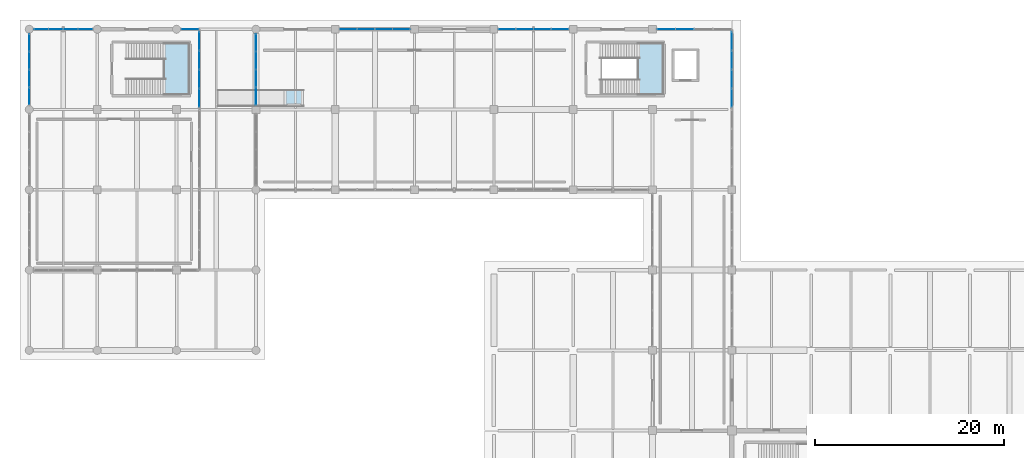
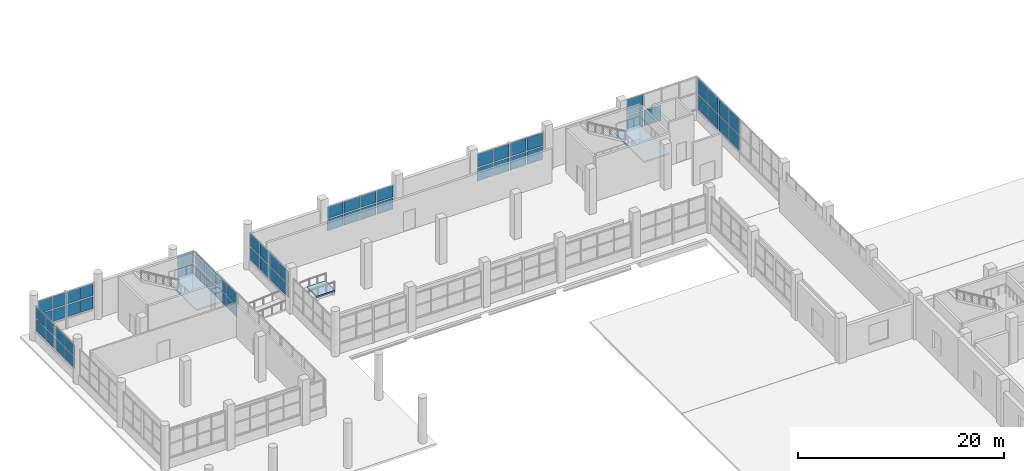
# One storey, part 84 of 107: 61 plates, 3 slabs, 12 elements without a shape of their own.
"""IFC4 building model written with IfcOpenShell, lengths in metres."""

import ifcopenshell
import ifcopenshell.guid

model = None  # the IFC model being written
_history = None  # IfcOwnerHistory: only IFC2X3 demands one
_inside = {}  # id of a spatial element -> (the spatial element, [elements in it])
_under = {}  # id of a project, library or spatial element -> (it, [spatial elements below it])
_declared = {}  # id of a project -> (the project, [libraries it declares])
_typed = {}  # id of a type object -> (the type object, [elements of that type])
_made_of = {}  # id of a material, layer set ... -> (it, [elements and type objects made of it])


def new_model(schema):
    """Start an empty IFC model of exactly this schema.

    Asked for "IFC4X3", IfcOpenShell would pick the latest addendum, in which some entities
    have other attributes; the version numbers below select the first issue.
    IFC2X3 requires an IfcOwnerHistory on every rooted entity: one is made here for all.
    """
    global model, _history
    if schema == "IFC4X3":
        model = ifcopenshell.file(schema_version=(4, 3, 0, 0))
    else:
        model = ifcopenshell.file(schema=schema)
    _inside.clear()
    _under.clear()
    _declared.clear()
    _typed.clear()
    _made_of.clear()
    _history = None
    if model.schema == "IFC2X3":
        org = make("IfcOrganization", Name="unknown")
        user = make(
            "IfcPersonAndOrganization",
            ThePerson=make("IfcPerson", FamilyName="unknown"),
            TheOrganization=org,
        )
        app = make(
            "IfcApplication",
            ApplicationDeveloper=org,
            Version="unknown",
            ApplicationFullName="unknown",
            ApplicationIdentifier="unknown",
        )
        _history = make(
            "IfcOwnerHistory",
            OwningUser=user,
            OwningApplication=app,
            ChangeAction="ADDED",
            CreationDate=0,
        )
    return model


def make(cls, **values):
    """One entity of the class cls with the attributes given. An attribute that is None is left unset."""
    return model.create_entity(
        cls, **{name: value for name, value in values.items() if value is not None}
    )


def rooted(cls, **values):
    """An entity with a GlobalId (a new one), such as an element, a storey or a relation."""
    return make(cls, GlobalId=ifcopenshell.guid.new(), OwnerHistory=_history, **values)


def si_unit(unit_type, name, prefix=None):
    """IfcSIUnit, for example si_unit("LENGTHUNIT", "METRE", prefix="MILLI")."""
    return make("IfcSIUnit", UnitType=unit_type, Prefix=prefix, Name=name)


def assignment(units):
    """IfcUnitAssignment: the units of a project."""
    return None if units is None else make("IfcUnitAssignment", Units=units)


def point(xyz):
    """IfcCartesianPoint."""
    return None if xyz is None else make("IfcCartesianPoint", Coordinates=xyz)


def direction(xyz):
    """IfcDirection."""
    return None if xyz is None else make("IfcDirection", DirectionRatios=xyz)


def frame(location, z_axis=None, x_axis=None):
    """IfcAxis2Placement3D, a coordinate frame: its origin and axes. An axis left out is left unset."""
    return make(
        "IfcAxis2Placement3D",
        Location=point(location),
        Axis=direction(z_axis),
        RefDirection=direction(x_axis),
    )


def frame_2d(location, x_axis=None):
    """IfcAxis2Placement2D, a coordinate frame in the plane: its origin and x axis."""
    return make(
        "IfcAxis2Placement2D", Location=point(location), RefDirection=direction(x_axis)
    )


def origin():
    """The frame at (0, 0, 0) with its axes left unset."""
    return frame((0.0, 0.0, 0.0))


def origin_2d():
    """The frame at (0, 0) in the plane with its x axis left unset."""
    return frame_2d((0.0, 0.0))


def place(relative_to, where):
    """IfcLocalPlacement: puts the frame where relative to a parent placement (None: the world)."""
    return make(
        "IfcLocalPlacement", PlacementRelTo=relative_to, RelativePlacement=where
    )


def context(
    kind, dimensions, precision=None, world=None, true_north=None, identifier=None
):
    """IfcGeometricRepresentationContext, for example the 3D "Model" context."""
    return make(
        "IfcGeometricRepresentationContext",
        ContextIdentifier=identifier,
        ContextType=kind,
        CoordinateSpaceDimension=dimensions,
        Precision=precision,
        WorldCoordinateSystem=world,
        TrueNorth=true_north,
    )


def subcontext(parent, identifier, kind, view, scale=None):
    """IfcGeometricRepresentationSubContext, for example "Body" below "Model"."""
    return make(
        "IfcGeometricRepresentationSubContext",
        ContextIdentifier=identifier,
        ContextType=kind,
        ParentContext=parent,
        TargetScale=scale,
        TargetView=view,
    )


def project(units=None, contexts=None):
    """IfcProject with its units and contexts."""
    return rooted(
        "IfcProject",
        Name="project",
        RepresentationContexts=contexts,
        UnitsInContext=assignment(units),
    )


def spatial(cls, under=None, at=None, **own):
    """A site, building, storey or space (cls), placed at a placement, below another one or the project."""
    s = rooted(cls, ObjectPlacement=at, **own)
    if under is not None:
        _under.setdefault(under.id(), (under, []))[1].append(s)
    return s


def polyline(points):
    """IfcPolyline through the points."""
    return make("IfcPolyline", Points=[point(p) for p in points])


def profile(cls, at=None, kind="AREA", **sizes):
    """A parametric profile (cls). Its sizes go by their IFC names, for example OverallWidth=200.0."""
    return make(cls, ProfileType=kind, Position=at, **sizes)


def rectangle(**sizes):
    """IfcRectangleProfileDef."""
    return profile("IfcRectangleProfileDef", **sizes)


def outline(outer, holes=None, kind="AREA"):
    """IfcArbitraryClosedProfileDef: a profile drawn as a closed curve; with holes, ...WithVoids."""
    if holes is None:
        return make("IfcArbitraryClosedProfileDef", ProfileType=kind, OuterCurve=outer)
    return make(
        "IfcArbitraryProfileDefWithVoids",
        ProfileType=kind,
        OuterCurve=outer,
        InnerCurves=holes,
    )


def extrude(swept, where, along, depth):
    """IfcExtrudedAreaSolid: the profile swept, set in the frame where, extruded along a direction by depth."""
    return make(
        "IfcExtrudedAreaSolid",
        SweptArea=swept,
        Position=where,
        ExtrudedDirection=direction(along),
        Depth=depth,
    )


def shape(context_of_items, identifier, shape_type, items):
    """IfcShapeRepresentation: the items that make up one representation, for example the "Body"."""
    return make(
        "IfcShapeRepresentation",
        ContextOfItems=context_of_items,
        RepresentationIdentifier=identifier,
        RepresentationType=shape_type,
        Items=items,
    )


def material(Name=None, Category=None):
    """IfcMaterial."""
    return make("IfcMaterial", Name=Name, Category=Category)


def layer(
    of_material, thickness, ventilated=None, Name=None, Category=None, Priority=None
):
    """IfcMaterialLayer: one layer of a wall or slab, of a material (None: an air gap)."""
    return make(
        "IfcMaterialLayer",
        Material=of_material,
        LayerThickness=thickness,
        IsVentilated=ventilated,
        Name=Name,
        Category=Category,
        Priority=Priority,
    )


def layer_set(layers, Name=None):
    """IfcMaterialLayerSet."""
    return make("IfcMaterialLayerSet", MaterialLayers=layers, LayerSetName=Name)


def made_of(thing, what):
    """Note that an element or type object is made of a material, layer set ...; save() writes the relation."""
    if what is not None:
        _made_of.setdefault(what.id(), (what, []))[1].append(thing)
    return thing


def type_object(cls, material=None, **own):
    """A type object (cls), such as IfcWallType, which elements share."""
    return made_of(rooted(cls, **own), material)


def element(
    cls,
    number,
    at=None,
    inside=None,
    cuts=None,
    type_object=None,
    material=None,
    context=None,
    identifier="Body",
    shape_type=None,
    held_by="IfcProductDefinitionShape",
    body=None,
    shapes=None,
    **own,
):
    """One element of the class cls, such as IfcWall. Its Tag is "e" and its number.

    at: its placement. inside: the storey or other place that contains it. cuts: it is an
    opening in that element (IfcRelVoidsElement). A single representation is given by context,
    identifier, shape_type and body (its items); several are given by shapes. held_by: the class
    of the entity that holds the representations. save() writes the other relations.
    """
    e = rooted(cls, Tag="e%d" % number, ObjectPlacement=at, **own)
    if body is not None:
        shapes = [shape(context, identifier, shape_type, body)]
    if shapes is not None:
        e.Representation = make(held_by, Representations=shapes)
    if inside is not None:
        _inside.setdefault(inside.id(), (inside, []))[1].append(e)
    if cuts is not None:
        rooted(
            "IfcRelVoidsElement", RelatingBuildingElement=cuts, RelatedOpeningElement=e
        )
    if type_object is not None:
        _typed.setdefault(type_object.id(), (type_object, []))[1].append(e)
    return made_of(e, material)


def aggregate(whole, parts):
    """IfcRelAggregates: a whole, such as a stair, and the parts it consists of."""
    return rooted("IfcRelAggregates", RelatingObject=whole, RelatedObjects=parts)


def save(model, path):
    """Write the relations noted so far, then the file.

    IfcRelAggregates (storeys below a building ...), IfcRelContainedInSpatialStructure (elements
    in a storey), IfcRelDefinesByType, IfcRelAssociatesMaterial and IfcRelDeclares: one each for
    every whole, place, type object, material and project.
    """
    for whole, parts in _under.values():
        aggregate(whole, parts)
    for where, things in _inside.values():
        rooted(
            "IfcRelContainedInSpatialStructure",
            RelatedElements=things,
            RelatingStructure=where,
        )
    for kind, things in _typed.values():
        rooted("IfcRelDefinesByType", RelatedObjects=things, RelatingType=kind)
    for what, things in _made_of.values():
        rooted("IfcRelAssociatesMaterial", RelatedObjects=things, RelatingMaterial=what)
    for by, libraries in _declared.values():
        rooted("IfcRelDeclares", RelatingContext=by, RelatedDefinitions=libraries)
    model.write(path)


model = new_model("IFC4")

# Units and contexts
model_context = context("Model", 3, precision=1e-05, world=origin(), true_north=direction((0.0, 1.0)))
body_context = subcontext(model_context, "Body", "Model", "MODEL_VIEW")
ifc_project = project(units=[si_unit("LENGTHUNIT", "METRE"), si_unit("AREAUNIT", "SQUARE_METRE"), si_unit("VOLUMEUNIT", "CUBIC_METRE"), si_unit("PLANEANGLEUNIT", "RADIAN"), si_unit("MASSUNIT", "GRAM", prefix="KILO")], contexts=[model_context])

# Site, building, storey
site_placement = place(None, origin())
site = spatial("IfcSite", under=ifc_project, at=site_placement, CompositionType="ELEMENT")
building_placement = place(site_placement, origin())
building = spatial("IfcBuilding", under=site, at=building_placement, Name="Solvento Point Concert Hall", CompositionType="ELEMENT")
storey_placement = place(building_placement, origin())
storey = spatial("IfcBuildingStorey", under=building, at=storey_placement, Name="L00", CompositionType="ELEMENT", Elevation=0.0)

# Curtain wall, plates
ifc_material_1 = material(Name="Anodized Bronze Aluminium", Category="aluminium")
curtain_wall_type = type_object("IfcCurtainWallType", Name="CurtainWall_CourtPilotis", PredefinedType="USERDEFINED", material=ifc_material_1)
curtain_wall_1_placement = place(storey_placement, origin())
curtain_wall_1 = element("IfcCurtainWall", 1, at=curtain_wall_1_placement, inside=storey, type_object=curtain_wall_type, Name="Unitised curtain wall CW-96 UCW-L00-028", ObjectType="UNITISED CURTAIN WALL", PredefinedType="USERDEFINED")
ifc_material_2 = material(Name="Hurricane Laminated Low-E Glass", Category="glass")
plate_type = type_object("IfcPlateType", Name="CurtainPanel_CourtPilotis", PredefinedType="CURTAIN_PANEL", material=ifc_material_2)
plate_1_placement = place(storey_placement, frame((24.0, 128.905517578125, 1.23974609375), z_axis=(0.0, 0.0, 1.0), x_axis=(0.0, 1.0, 0.0)))
plate_1 = element("IfcPlate", 2, at=plate_1_placement, type_object=plate_type, Name="Glazed curtain panel GL-06", PredefinedType="CURTAIN_PANEL", context=body_context, shape_type="SweptSolid", body=[
    extrude(rectangle(XDim=1.771240234375, YDim=0.030029296875, at=origin_2d()), origin(), (0.0, 0.0, 1.0), 1.508056640625),
])
plate_2_placement = place(storey_placement, frame((24.0, 128.905517578125, 2.8681640625), z_axis=(0.0, 0.0, 1.0), x_axis=(0.0, 1.0, 0.0)))
plate_2 = element("IfcPlate", 3, at=plate_2_placement, type_object=plate_type, Name="Glazed curtain panel GL-06", PredefinedType="CURTAIN_PANEL", context=body_context, shape_type="SweptSolid", body=[
    extrude(rectangle(XDim=1.771240234375, YDim=0.030029296875, at=origin_2d()), origin(), (0.0, 0.0, 1.0), 1.508056640625),
])
plate_3_placement = place(storey_placement, frame((24.0, 130.796875, 1.23974609375), z_axis=(0.0, 0.0, 1.0), x_axis=(0.0, 1.0, 0.0)))
plate_3 = element("IfcPlate", 4, at=plate_3_placement, type_object=plate_type, Name="Glazed curtain panel GL-06", PredefinedType="CURTAIN_PANEL", context=body_context, shape_type="SweptSolid", body=[
    extrude(rectangle(XDim=1.771240234375, YDim=0.030029296875, at=origin_2d()), origin(), (0.0, 0.0, 1.0), 1.508056640625),
])
plate_4_placement = place(storey_placement, frame((24.0, 130.796875, 2.8681640625), z_axis=(0.0, 0.0, 1.0), x_axis=(0.0, 1.0, 0.0)))
plate_4 = element("IfcPlate", 5, at=plate_4_placement, type_object=plate_type, Name="Glazed curtain panel GL-06", PredefinedType="CURTAIN_PANEL", context=body_context, shape_type="SweptSolid", body=[
    extrude(rectangle(XDim=1.771240234375, YDim=0.030029296875, at=origin_2d()), origin(), (0.0, 0.0, 1.0), 1.508056640625),
])
plate_5_placement = place(storey_placement, frame((24.0, 132.68798828125, 1.23974609375), z_axis=(0.0, 0.0, 1.0), x_axis=(0.0, 1.0, 0.0)))
plate_5 = element("IfcPlate", 6, at=plate_5_placement, type_object=plate_type, Name="Glazed curtain panel GL-06", PredefinedType="CURTAIN_PANEL", context=body_context, shape_type="SweptSolid", body=[
    extrude(rectangle(XDim=1.771240234375, YDim=0.030029296875, at=origin_2d()), origin(), (0.0, 0.0, 1.0), 1.508056640625),
])
plate_6_placement = place(storey_placement, frame((24.0, 132.68798828125, 2.8681640625), z_axis=(0.0, 0.0, 1.0), x_axis=(0.0, 1.0, 0.0)))
plate_6 = element("IfcPlate", 7, at=plate_6_placement, type_object=plate_type, Name="Glazed curtain panel GL-06", PredefinedType="CURTAIN_PANEL", context=body_context, shape_type="SweptSolid", body=[
    extrude(rectangle(XDim=1.771240234375, YDim=0.030029296875, at=origin_2d()), origin(), (0.0, 0.0, 1.0), 1.508056640625),
])
plate_7_placement = place(storey_placement, frame((24.0, 134.579345703125, 1.23974609375), z_axis=(0.0, 0.0, 1.0), x_axis=(0.0, 1.0, 0.0)))
plate_7 = element("IfcPlate", 8, at=plate_7_placement, type_object=plate_type, Name="Glazed curtain panel GL-06", PredefinedType="CURTAIN_PANEL", context=body_context, shape_type="SweptSolid", body=[
    extrude(rectangle(XDim=1.771240234375, YDim=0.030029296875, at=origin_2d()), origin(), (0.0, 0.0, 1.0), 1.508056640625),
])
plate_8_placement = place(storey_placement, frame((24.0, 134.579345703125, 2.8681640625), z_axis=(0.0, 0.0, 1.0), x_axis=(0.0, 1.0, 0.0)))
plate_8 = element("IfcPlate", 9, at=plate_8_placement, type_object=plate_type, Name="Glazed curtain panel GL-06", PredefinedType="CURTAIN_PANEL", context=body_context, shape_type="SweptSolid", body=[
    extrude(rectangle(XDim=1.771240234375, YDim=0.030029296875, at=origin_2d()), origin(), (0.0, 0.0, 1.0), 1.508056640625),
])
aggregate(curtain_wall_1, [plate_1, plate_2, plate_3, plate_4, plate_5, plate_6, plate_7, plate_8])

curtain_wall_2_placement = place(storey_placement, origin())
curtain_wall_2 = element("IfcCurtainWall", 10, at=curtain_wall_2_placement, inside=storey, type_object=curtain_wall_type, Name="Unitised curtain wall CW-96 UCW-L00-029", ObjectType="UNITISED CURTAIN WALL", PredefinedType="USERDEFINED")
plate_9_placement = place(storey_placement, frame((33.794921875, 136.0, 1.23974609375), z_axis=(0.0, 0.0, 1.0), x_axis=(1.0, 0.0, 0.0)))
plate_9 = element("IfcPlate", 11, at=plate_9_placement, type_object=plate_type, Name="Glazed curtain panel GL-06", PredefinedType="CURTAIN_PANEL", context=body_context, shape_type="SweptSolid", body=[
    extrude(rectangle(XDim=1.75, YDim=0.030029296875, at=origin_2d()), origin(), (0.0, 0.0, 1.0), 1.342041015625),
])
plate_10_placement = place(storey_placement, frame((33.794921875, 136.0, 2.7021484375), z_axis=(0.0, 0.0, 1.0), x_axis=(1.0, 0.0, 0.0)))
plate_10 = element("IfcPlate", 12, at=plate_10_placement, type_object=plate_type, Name="Glazed curtain panel GL-06", PredefinedType="CURTAIN_PANEL", context=body_context, shape_type="SweptSolid", body=[
    extrude(rectangle(XDim=1.75, YDim=0.030029296875, at=origin_2d()), origin(), (0.0, 0.0, 1.0), 1.342041015625),
])
plate_11_placement = place(storey_placement, frame((35.6650390625, 136.0, 1.23974609375), z_axis=(0.0, 0.0, 1.0), x_axis=(1.0, 0.0, 0.0)))
plate_11 = element("IfcPlate", 13, at=plate_11_placement, type_object=plate_type, Name="Glazed curtain panel GL-06", PredefinedType="CURTAIN_PANEL", context=body_context, shape_type="SweptSolid", body=[
    extrude(rectangle(XDim=1.75, YDim=0.030029296875, at=origin_2d()), origin(), (0.0, 0.0, 1.0), 1.342041015625),
])
plate_12_placement = place(storey_placement, frame((35.6650390625, 136.0, 2.7021484375), z_axis=(0.0, 0.0, 1.0), x_axis=(1.0, 0.0, 0.0)))
plate_12 = element("IfcPlate", 14, at=plate_12_placement, type_object=plate_type, Name="Glazed curtain panel GL-06", PredefinedType="CURTAIN_PANEL", context=body_context, shape_type="SweptSolid", body=[
    extrude(rectangle(XDim=1.75, YDim=0.030029296875, at=origin_2d()), origin(), (0.0, 0.0, 1.0), 1.342041015625),
])
plate_13_placement = place(storey_placement, frame((37.534912109375, 136.0, 1.23974609375), z_axis=(0.0, 0.0, 1.0), x_axis=(1.0, 0.0, 0.0)))
plate_13 = element("IfcPlate", 15, at=plate_13_placement, type_object=plate_type, Name="Glazed curtain panel GL-06", PredefinedType="CURTAIN_PANEL", context=body_context, shape_type="SweptSolid", body=[
    extrude(rectangle(XDim=1.75, YDim=0.030029296875, at=origin_2d()), origin(), (0.0, 0.0, 1.0), 1.342041015625),
])
plate_14_placement = place(storey_placement, frame((37.534912109375, 136.0, 2.7021484375), z_axis=(0.0, 0.0, 1.0), x_axis=(1.0, 0.0, 0.0)))
plate_14 = element("IfcPlate", 16, at=plate_14_placement, type_object=plate_type, Name="Glazed curtain panel GL-06", PredefinedType="CURTAIN_PANEL", context=body_context, shape_type="SweptSolid", body=[
    extrude(rectangle(XDim=1.75, YDim=0.030029296875, at=origin_2d()), origin(), (0.0, 0.0, 1.0), 1.342041015625),
])
plate_15_placement = place(storey_placement, frame((39.405029296875, 136.0, 1.23974609375), z_axis=(0.0, 0.0, 1.0), x_axis=(1.0, 0.0, 0.0)))
plate_15 = element("IfcPlate", 17, at=plate_15_placement, type_object=plate_type, Name="Glazed curtain panel GL-06", PredefinedType="CURTAIN_PANEL", context=body_context, shape_type="SweptSolid", body=[
    extrude(rectangle(XDim=1.75, YDim=0.030029296875, at=origin_2d()), origin(), (0.0, 0.0, 1.0), 1.342041015625),
])
plate_16_placement = place(storey_placement, frame((39.405029296875, 136.0, 2.7021484375), z_axis=(0.0, 0.0, 1.0), x_axis=(1.0, 0.0, 0.0)))
plate_16 = element("IfcPlate", 18, at=plate_16_placement, type_object=plate_type, Name="Glazed curtain panel GL-06", PredefinedType="CURTAIN_PANEL", context=body_context, shape_type="SweptSolid", body=[
    extrude(rectangle(XDim=1.75, YDim=0.030029296875, at=origin_2d()), origin(), (0.0, 0.0, 1.0), 1.342041015625),
])
aggregate(curtain_wall_2, [plate_9, plate_10, plate_11, plate_12, plate_13, plate_14, plate_15, plate_16])

curtain_wall_3_placement = place(storey_placement, origin())
curtain_wall_3 = element("IfcCurtainWall", 19, at=curtain_wall_3_placement, inside=storey, type_object=curtain_wall_type, Name="Unitised curtain wall CW-96 UCW-L00-030", ObjectType="UNITISED CURTAIN WALL", PredefinedType="USERDEFINED")
plate_17_placement = place(storey_placement, frame((50.594970703125, 136.0, 1.239990234375), z_axis=(0.0, 0.0, 1.0), x_axis=(1.0, 0.0, 0.0)))
plate_17 = element("IfcPlate", 20, at=plate_17_placement, type_object=plate_type, Name="Glazed curtain panel GL-06", PredefinedType="CURTAIN_PANEL", context=body_context, shape_type="SweptSolid", body=[
    extrude(rectangle(XDim=1.75, YDim=0.030029296875, at=origin_2d()), origin(), (0.0, 0.0, 1.0), 1.53759765625),
])
plate_18_placement = place(storey_placement, frame((50.594970703125, 136.0, 2.8974609375), z_axis=(0.0, 0.0, 1.0), x_axis=(1.0, 0.0, 0.0)))
plate_18 = element("IfcPlate", 21, at=plate_18_placement, type_object=plate_type, Name="Glazed curtain panel GL-06", PredefinedType="CURTAIN_PANEL", context=body_context, shape_type="SweptSolid", body=[
    extrude(rectangle(XDim=1.75, YDim=0.030029296875, at=origin_2d()), origin(), (0.0, 0.0, 1.0), 1.53759765625),
])
plate_19_placement = place(storey_placement, frame((52.465087890625, 136.0, 1.239990234375), z_axis=(0.0, 0.0, 1.0), x_axis=(1.0, 0.0, 0.0)))
plate_19 = element("IfcPlate", 22, at=plate_19_placement, type_object=plate_type, Name="Glazed curtain panel GL-06", PredefinedType="CURTAIN_PANEL", context=body_context, shape_type="SweptSolid", body=[
    extrude(rectangle(XDim=1.75, YDim=0.030029296875, at=origin_2d()), origin(), (0.0, 0.0, 1.0), 1.53759765625),
])
plate_20_placement = place(storey_placement, frame((52.465087890625, 136.0, 2.8974609375), z_axis=(0.0, 0.0, 1.0), x_axis=(1.0, 0.0, 0.0)))
plate_20 = element("IfcPlate", 23, at=plate_20_placement, type_object=plate_type, Name="Glazed curtain panel GL-06", PredefinedType="CURTAIN_PANEL", context=body_context, shape_type="SweptSolid", body=[
    extrude(rectangle(XDim=1.75, YDim=0.030029296875, at=origin_2d()), origin(), (0.0, 0.0, 1.0), 1.53759765625),
])
plate_21_placement = place(storey_placement, frame((54.3349609375, 136.0, 1.239990234375), z_axis=(0.0, 0.0, 1.0), x_axis=(1.0, 0.0, 0.0)))
plate_21 = element("IfcPlate", 24, at=plate_21_placement, type_object=plate_type, Name="Glazed curtain panel GL-06", PredefinedType="CURTAIN_PANEL", context=body_context, shape_type="SweptSolid", body=[
    extrude(rectangle(XDim=1.75, YDim=0.030029296875, at=origin_2d()), origin(), (0.0, 0.0, 1.0), 1.53759765625),
])
plate_22_placement = place(storey_placement, frame((54.3349609375, 136.0, 2.8974609375), z_axis=(0.0, 0.0, 1.0), x_axis=(1.0, 0.0, 0.0)))
plate_22 = element("IfcPlate", 25, at=plate_22_placement, type_object=plate_type, Name="Glazed curtain panel GL-06", PredefinedType="CURTAIN_PANEL", context=body_context, shape_type="SweptSolid", body=[
    extrude(rectangle(XDim=1.75, YDim=0.030029296875, at=origin_2d()), origin(), (0.0, 0.0, 1.0), 1.53759765625),
])
plate_23_placement = place(storey_placement, frame((56.205078125, 136.0, 1.239990234375), z_axis=(0.0, 0.0, 1.0), x_axis=(1.0, 0.0, 0.0)))
plate_23 = element("IfcPlate", 26, at=plate_23_placement, type_object=plate_type, Name="Glazed curtain panel GL-06", PredefinedType="CURTAIN_PANEL", context=body_context, shape_type="SweptSolid", body=[
    extrude(rectangle(XDim=1.75, YDim=0.030029296875, at=origin_2d()), origin(), (0.0, 0.0, 1.0), 1.53759765625),
])
plate_24_placement = place(storey_placement, frame((56.205078125, 136.0, 2.8974609375), z_axis=(0.0, 0.0, 1.0), x_axis=(1.0, 0.0, 0.0)))
plate_24 = element("IfcPlate", 27, at=plate_24_placement, type_object=plate_type, Name="Glazed curtain panel GL-06", PredefinedType="CURTAIN_PANEL", context=body_context, shape_type="SweptSolid", body=[
    extrude(rectangle(XDim=1.75, YDim=0.030029296875, at=origin_2d()), origin(), (0.0, 0.0, 1.0), 1.53759765625),
])
aggregate(curtain_wall_3, [plate_17, plate_18, plate_19, plate_20, plate_21, plate_22, plate_23, plate_24])

curtain_wall_4_placement = place(storey_placement, origin())
curtain_wall_4 = element("IfcCurtainWall", 28, at=curtain_wall_4_placement, inside=storey, type_object=curtain_wall_type, Name="Unitised curtain wall CW-96 UCW-L00-031", ObjectType="UNITISED CURTAIN WALL", PredefinedType="USERDEFINED")
plate_25_placement = place(storey_placement, frame((67.44873046875, 136.0, 1.23974609375), z_axis=(0.0, 0.0, 1.0), x_axis=(1.0, 0.0, 0.0)))
plate_25 = element("IfcPlate", 29, at=plate_25_placement, type_object=plate_type, Name="Glazed curtain panel GL-06", PredefinedType="CURTAIN_PANEL", context=body_context, shape_type="SweptSolid", body=[
    extrude(rectangle(XDim=1.857421875, YDim=0.030029296875, at=origin_2d()), origin(), (0.0, 0.0, 1.0), 1.820068359375),
])
plate_26_placement = place(storey_placement, frame((67.44873046875, 136.0, 3.18017578125), z_axis=(0.0, 0.0, 1.0), x_axis=(1.0, 0.0, 0.0)))
plate_26 = element("IfcPlate", 30, at=plate_26_placement, type_object=plate_type, Name="Glazed curtain panel GL-06", PredefinedType="CURTAIN_PANEL", context=body_context, shape_type="SweptSolid", body=[
    extrude(rectangle(XDim=1.857421875, YDim=0.030029296875, at=origin_2d()), origin(), (0.0, 0.0, 1.0), 1.820068359375),
])
plate_27_placement = place(storey_placement, frame((69.42626953125, 136.0, 1.23974609375), z_axis=(0.0, 0.0, 1.0), x_axis=(1.0, 0.0, 0.0)))
plate_27 = element("IfcPlate", 31, at=plate_27_placement, type_object=plate_type, Name="Glazed curtain panel GL-06", PredefinedType="CURTAIN_PANEL", context=body_context, shape_type="SweptSolid", body=[
    extrude(rectangle(XDim=1.857421875, YDim=0.030029296875, at=origin_2d()), origin(), (0.0, 0.0, 1.0), 1.820068359375),
])
aggregate(curtain_wall_4, [plate_25, plate_26, plate_27])

curtain_wall_5_placement = place(storey_placement, origin())
curtain_wall_5 = element("IfcCurtainWall", 32, at=curtain_wall_5_placement, inside=storey, type_object=curtain_wall_type, Name="Unitised curtain wall CW-96 UCW-L00-033", ObjectType="UNITISED CURTAIN WALL", PredefinedType="USERDEFINED")
plate_28_placement = place(storey_placement, frame((74.39990234375, 128.7275390625, 1.23974609375), z_axis=(0.0, 0.0, 1.0), x_axis=(0.0, 1.0, 0.0)))
plate_28 = element("IfcPlate", 33, at=plate_28_placement, type_object=plate_type, Name="Glazed curtain panel GL-06", PredefinedType="CURTAIN_PANEL", context=body_context, shape_type="SweptSolid", body=[
    extrude(rectangle(XDim=1.89501953125, YDim=0.030029296875, at=origin_2d()), origin(), (0.0, 0.0, 1.0), 1.820068359375),
])
plate_29_placement = place(storey_placement, frame((74.39990234375, 128.7275390625, 3.18017578125), z_axis=(0.0, 0.0, 1.0), x_axis=(0.0, 1.0, 0.0)))
plate_29 = element("IfcPlate", 34, at=plate_29_placement, type_object=plate_type, Name="Glazed curtain panel GL-06", PredefinedType="CURTAIN_PANEL", context=body_context, shape_type="SweptSolid", body=[
    extrude(rectangle(XDim=1.89501953125, YDim=0.030029296875, at=origin_2d()), origin(), (0.0, 0.0, 1.0), 1.820068359375),
])
plate_30_placement = place(storey_placement, frame((74.39990234375, 130.742431640625, 1.23974609375), z_axis=(0.0, 0.0, 1.0), x_axis=(0.0, 1.0, 0.0)))
plate_30 = element("IfcPlate", 35, at=plate_30_placement, type_object=plate_type, Name="Glazed curtain panel GL-06", PredefinedType="CURTAIN_PANEL", context=body_context, shape_type="SweptSolid", body=[
    extrude(rectangle(XDim=1.89501953125, YDim=0.030029296875, at=origin_2d()), origin(), (0.0, 0.0, 1.0), 1.820068359375),
])
plate_31_placement = place(storey_placement, frame((74.39990234375, 130.742431640625, 3.18017578125), z_axis=(0.0, 0.0, 1.0), x_axis=(0.0, 1.0, 0.0)))
plate_31 = element("IfcPlate", 36, at=plate_31_placement, type_object=plate_type, Name="Glazed curtain panel GL-06", PredefinedType="CURTAIN_PANEL", context=body_context, shape_type="SweptSolid", body=[
    extrude(rectangle(XDim=1.89501953125, YDim=0.030029296875, at=origin_2d()), origin(), (0.0, 0.0, 1.0), 1.820068359375),
])
plate_32_placement = place(storey_placement, frame((74.39990234375, 132.757568359375, 1.23974609375), z_axis=(0.0, 0.0, 1.0), x_axis=(0.0, 1.0, 0.0)))
plate_32 = element("IfcPlate", 37, at=plate_32_placement, type_object=plate_type, Name="Glazed curtain panel GL-06", PredefinedType="CURTAIN_PANEL", context=body_context, shape_type="SweptSolid", body=[
    extrude(rectangle(XDim=1.89501953125, YDim=0.030029296875, at=origin_2d()), origin(), (0.0, 0.0, 1.0), 1.820068359375),
])
plate_33_placement = place(storey_placement, frame((74.39990234375, 132.757568359375, 3.18017578125), z_axis=(0.0, 0.0, 1.0), x_axis=(0.0, 1.0, 0.0)))
plate_33 = element("IfcPlate", 38, at=plate_33_placement, type_object=plate_type, Name="Glazed curtain panel GL-06", PredefinedType="CURTAIN_PANEL", context=body_context, shape_type="SweptSolid", body=[
    extrude(rectangle(XDim=1.89501953125, YDim=0.030029296875, at=origin_2d()), origin(), (0.0, 0.0, 1.0), 1.820068359375),
])
plate_34_placement = place(storey_placement, frame((74.39990234375, 134.7724609375, 1.23974609375), z_axis=(0.0, 0.0, 1.0), x_axis=(0.0, 1.0, 0.0)))
plate_34 = element("IfcPlate", 39, at=plate_34_placement, type_object=plate_type, Name="Glazed curtain panel GL-06", PredefinedType="CURTAIN_PANEL", context=body_context, shape_type="SweptSolid", body=[
    extrude(rectangle(XDim=1.89501953125, YDim=0.030029296875, at=origin_2d()), origin(), (0.0, 0.0, 1.0), 1.820068359375),
])
plate_35_placement = place(storey_placement, frame((74.39990234375, 134.7724609375, 3.18017578125), z_axis=(0.0, 0.0, 1.0), x_axis=(0.0, 1.0, 0.0)))
plate_35 = element("IfcPlate", 40, at=plate_35_placement, type_object=plate_type, Name="Glazed curtain panel GL-06", PredefinedType="CURTAIN_PANEL", context=body_context, shape_type="SweptSolid", body=[
    extrude(rectangle(XDim=1.89501953125, YDim=0.030029296875, at=origin_2d()), origin(), (0.0, 0.0, 1.0), 1.820068359375),
])
aggregate(curtain_wall_5, [plate_28, plate_29, plate_30, plate_31, plate_32, plate_33, plate_34, plate_35])

curtain_wall_6_placement = place(storey_placement, origin())
curtain_wall_6 = element("IfcCurtainWall", 41, at=curtain_wall_6_placement, inside=storey, type_object=curtain_wall_type, Name="Unitised curtain wall CW-96 UCW-L00-062", ObjectType="UNITISED CURTAIN WALL", PredefinedType="USERDEFINED")
plate_36_placement = place(storey_placement, frame((1.25634765625, 136.0, 1.240234375), z_axis=(0.0, 0.0, 1.0), x_axis=(1.0, 0.0, 0.0)))
plate_36 = element("IfcPlate", 42, at=plate_36_placement, type_object=plate_type, Name="Glazed curtain panel GL-06", PredefinedType="CURTAIN_PANEL", context=body_context, shape_type="SweptSolid", body=[
    extrude(rectangle(XDim=1.4423828125, YDim=0.030029296875, at=origin_2d()), origin(), (0.0, 0.0, 1.0), 1.427001953125),
])
plate_37_placement = place(storey_placement, frame((1.25634765625, 136.0, 2.787109375), z_axis=(0.0, 0.0, 1.0), x_axis=(1.0, 0.0, 0.0)))
plate_37 = element("IfcPlate", 43, at=plate_37_placement, type_object=plate_type, Name="Glazed curtain panel GL-06", PredefinedType="CURTAIN_PANEL", context=body_context, shape_type="SweptSolid", body=[
    extrude(rectangle(XDim=1.4423828125, YDim=0.030029296875, at=origin_2d()), origin(), (0.0, 0.0, 1.0), 1.427001953125),
])
plate_38_placement = place(storey_placement, frame((2.81884765625, 136.0, 1.240234375), z_axis=(0.0, 0.0, 1.0), x_axis=(1.0, 0.0, 0.0)))
plate_38 = element("IfcPlate", 44, at=plate_38_placement, type_object=plate_type, Name="Glazed curtain panel GL-06", PredefinedType="CURTAIN_PANEL", context=body_context, shape_type="SweptSolid", body=[
    extrude(rectangle(XDim=1.4423828125, YDim=0.030029296875, at=origin_2d()), origin(), (0.0, 0.0, 1.0), 1.427001953125),
])
plate_39_placement = place(storey_placement, frame((2.81884765625, 136.0, 2.787109375), z_axis=(0.0, 0.0, 1.0), x_axis=(1.0, 0.0, 0.0)))
plate_39 = element("IfcPlate", 45, at=plate_39_placement, type_object=plate_type, Name="Glazed curtain panel GL-06", PredefinedType="CURTAIN_PANEL", context=body_context, shape_type="SweptSolid", body=[
    extrude(rectangle(XDim=1.4423828125, YDim=0.030029296875, at=origin_2d()), origin(), (0.0, 0.0, 1.0), 1.427001953125),
])
plate_40_placement = place(storey_placement, frame((4.381103515625, 136.0, 1.240234375), z_axis=(0.0, 0.0, 1.0), x_axis=(1.0, 0.0, 0.0)))
plate_40 = element("IfcPlate", 46, at=plate_40_placement, type_object=plate_type, Name="Glazed curtain panel GL-06", PredefinedType="CURTAIN_PANEL", context=body_context, shape_type="SweptSolid", body=[
    extrude(rectangle(XDim=1.4423828125, YDim=0.030029296875, at=origin_2d()), origin(), (0.0, 0.0, 1.0), 1.427001953125),
])
plate_41_placement = place(storey_placement, frame((4.381103515625, 136.0, 2.787109375), z_axis=(0.0, 0.0, 1.0), x_axis=(1.0, 0.0, 0.0)))
plate_41 = element("IfcPlate", 47, at=plate_41_placement, type_object=plate_type, Name="Glazed curtain panel GL-06", PredefinedType="CURTAIN_PANEL", context=body_context, shape_type="SweptSolid", body=[
    extrude(rectangle(XDim=1.4423828125, YDim=0.030029296875, at=origin_2d()), origin(), (0.0, 0.0, 1.0), 1.427001953125),
])
plate_42_placement = place(storey_placement, frame((5.943603515625, 136.0, 1.240234375), z_axis=(0.0, 0.0, 1.0), x_axis=(1.0, 0.0, 0.0)))
plate_42 = element("IfcPlate", 48, at=plate_42_placement, type_object=plate_type, Name="Glazed curtain panel GL-06", PredefinedType="CURTAIN_PANEL", context=body_context, shape_type="SweptSolid", body=[
    extrude(rectangle(XDim=1.4423828125, YDim=0.030029296875, at=origin_2d()), origin(), (0.0, 0.0, 1.0), 1.427001953125),
])
plate_43_placement = place(storey_placement, frame((5.943603515625, 136.0, 2.787109375), z_axis=(0.0, 0.0, 1.0), x_axis=(1.0, 0.0, 0.0)))
plate_43 = element("IfcPlate", 49, at=plate_43_placement, type_object=plate_type, Name="Glazed curtain panel GL-06", PredefinedType="CURTAIN_PANEL", context=body_context, shape_type="SweptSolid", body=[
    extrude(rectangle(XDim=1.4423828125, YDim=0.030029296875, at=origin_2d()), origin(), (0.0, 0.0, 1.0), 1.427001953125),
])
aggregate(curtain_wall_6, [plate_36, plate_37, plate_38, plate_39, plate_40, plate_41, plate_42, plate_43])

curtain_wall_7_placement = place(storey_placement, origin())
curtain_wall_7 = element("IfcCurtainWall", 50, at=curtain_wall_7_placement, inside=storey, type_object=curtain_wall_type, Name="Unitised curtain wall CW-96 UCW-L00-063", ObjectType="UNITISED CURTAIN WALL", PredefinedType="USERDEFINED")
plate_44_placement = place(storey_placement, frame((17.0224609375, 136.0, 1.240234375), z_axis=(0.0, 0.0, 1.0), x_axis=(1.0, 0.0, 0.0)))
plate_44 = element("IfcPlate", 51, at=plate_44_placement, type_object=plate_type, Name="Glazed curtain panel GL-06", PredefinedType="CURTAIN_PANEL", context=body_context, shape_type="SweptSolid", body=[
    extrude(rectangle(XDim=1.77490234375, YDim=0.030029296875, at=origin_2d()), origin(), (0.0, 0.0, 1.0), 1.348388671875),
])
plate_45_placement = place(storey_placement, frame((17.0224609375, 136.0, 2.70849609375), z_axis=(0.0, 0.0, 1.0), x_axis=(1.0, 0.0, 0.0)))
plate_45 = element("IfcPlate", 52, at=plate_45_placement, type_object=plate_type, Name="Glazed curtain panel GL-06", PredefinedType="CURTAIN_PANEL", context=body_context, shape_type="SweptSolid", body=[
    extrude(rectangle(XDim=1.77490234375, YDim=0.030029296875, at=origin_2d()), origin(), (0.0, 0.0, 1.0), 1.348388671875),
])
aggregate(curtain_wall_7, [plate_44, plate_45])

curtain_wall_8_placement = place(storey_placement, origin())
curtain_wall_8 = element("IfcCurtainWall", 53, at=curtain_wall_8_placement, inside=storey, type_object=curtain_wall_type, Name="Unitised curtain wall CW-96 UCW-L00-066", ObjectType="UNITISED CURTAIN WALL", PredefinedType="USERDEFINED")
plate_46_placement = place(storey_placement, frame((18.0, 128.7275390625, 1.240234375), z_axis=(0.0, 0.0, 1.0), x_axis=(0.0, 1.0, 0.0)))
plate_46 = element("IfcPlate", 54, at=plate_46_placement, type_object=plate_type, Name="Glazed curtain panel GL-06", PredefinedType="CURTAIN_PANEL", context=body_context, shape_type="SweptSolid", body=[
    extrude(rectangle(XDim=1.89501953125, YDim=0.030029296875, at=origin_2d()), origin(), (0.0, 0.0, 1.0), 1.348388671875),
])
plate_47_placement = place(storey_placement, frame((18.0, 128.7275390625, 2.70849609375), z_axis=(0.0, 0.0, 1.0), x_axis=(0.0, 1.0, 0.0)))
plate_47 = element("IfcPlate", 55, at=plate_47_placement, type_object=plate_type, Name="Glazed curtain panel GL-06", PredefinedType="CURTAIN_PANEL", context=body_context, shape_type="SweptSolid", body=[
    extrude(rectangle(XDim=1.89501953125, YDim=0.030029296875, at=origin_2d()), origin(), (0.0, 0.0, 1.0), 1.348388671875),
])
plate_48_placement = place(storey_placement, frame((18.0, 130.742431640625, 1.240234375), z_axis=(0.0, 0.0, 1.0), x_axis=(0.0, 1.0, 0.0)))
plate_48 = element("IfcPlate", 56, at=plate_48_placement, type_object=plate_type, Name="Glazed curtain panel GL-06", PredefinedType="CURTAIN_PANEL", context=body_context, shape_type="SweptSolid", body=[
    extrude(rectangle(XDim=1.89501953125, YDim=0.030029296875, at=origin_2d()), origin(), (0.0, 0.0, 1.0), 1.348388671875),
])
plate_49_placement = place(storey_placement, frame((18.0, 130.742431640625, 2.70849609375), z_axis=(0.0, 0.0, 1.0), x_axis=(0.0, 1.0, 0.0)))
plate_49 = element("IfcPlate", 57, at=plate_49_placement, type_object=plate_type, Name="Glazed curtain panel GL-06", PredefinedType="CURTAIN_PANEL", context=body_context, shape_type="SweptSolid", body=[
    extrude(rectangle(XDim=1.89501953125, YDim=0.030029296875, at=origin_2d()), origin(), (0.0, 0.0, 1.0), 1.348388671875),
])
plate_50_placement = place(storey_placement, frame((18.0, 132.757568359375, 1.240234375), z_axis=(0.0, 0.0, 1.0), x_axis=(0.0, 1.0, 0.0)))
plate_50 = element("IfcPlate", 58, at=plate_50_placement, type_object=plate_type, Name="Glazed curtain panel GL-06", PredefinedType="CURTAIN_PANEL", context=body_context, shape_type="SweptSolid", body=[
    extrude(rectangle(XDim=1.89501953125, YDim=0.030029296875, at=origin_2d()), origin(), (0.0, 0.0, 1.0), 1.348388671875),
])
plate_51_placement = place(storey_placement, frame((18.0, 132.757568359375, 2.70849609375), z_axis=(0.0, 0.0, 1.0), x_axis=(0.0, 1.0, 0.0)))
plate_51 = element("IfcPlate", 59, at=plate_51_placement, type_object=plate_type, Name="Glazed curtain panel GL-06", PredefinedType="CURTAIN_PANEL", context=body_context, shape_type="SweptSolid", body=[
    extrude(rectangle(XDim=1.89501953125, YDim=0.030029296875, at=origin_2d()), origin(), (0.0, 0.0, 1.0), 1.348388671875),
])
plate_52_placement = place(storey_placement, frame((18.0, 134.7724609375, 1.240234375), z_axis=(0.0, 0.0, 1.0), x_axis=(0.0, 1.0, 0.0)))
plate_52 = element("IfcPlate", 60, at=plate_52_placement, type_object=plate_type, Name="Glazed curtain panel GL-06", PredefinedType="CURTAIN_PANEL", context=body_context, shape_type="SweptSolid", body=[
    extrude(rectangle(XDim=1.89501953125, YDim=0.030029296875, at=origin_2d()), origin(), (0.0, 0.0, 1.0), 1.348388671875),
])
plate_53_placement = place(storey_placement, frame((18.0, 134.7724609375, 2.70849609375), z_axis=(0.0, 0.0, 1.0), x_axis=(0.0, 1.0, 0.0)))
plate_53 = element("IfcPlate", 61, at=plate_53_placement, type_object=plate_type, Name="Glazed curtain panel GL-06", PredefinedType="CURTAIN_PANEL", context=body_context, shape_type="SweptSolid", body=[
    extrude(rectangle(XDim=1.89501953125, YDim=0.030029296875, at=origin_2d()), origin(), (0.0, 0.0, 1.0), 1.348388671875),
])
aggregate(curtain_wall_8, [plate_46, plate_47, plate_48, plate_49, plate_50, plate_51, plate_52, plate_53])

curtain_wall_9_placement = place(storey_placement, origin())
curtain_wall_9 = element("IfcCurtainWall", 62, at=curtain_wall_9_placement, inside=storey, type_object=curtain_wall_type, Name="Unitised curtain wall CW-96 UCW-L00-072", ObjectType="UNITISED CURTAIN WALL", PredefinedType="USERDEFINED")
plate_54_placement = place(storey_placement, frame((0.0, 128.918701171875, 1.240234375), z_axis=(0.0, 0.0, 1.0), x_axis=(0.0, 1.0, 0.0)))
plate_54 = element("IfcPlate", 63, at=plate_54_placement, type_object=plate_type, Name="Glazed curtain panel GL-06", PredefinedType="CURTAIN_PANEL", context=body_context, shape_type="SweptSolid", body=[
    extrude(rectangle(XDim=1.767578125, YDim=0.030029296875, at=origin_2d()), origin(), (0.0, 0.0, 1.0), 1.348388671875),
])
plate_55_placement = place(storey_placement, frame((0.0, 128.918701171875, 2.70849609375), z_axis=(0.0, 0.0, 1.0), x_axis=(0.0, 1.0, 0.0)))
plate_55 = element("IfcPlate", 64, at=plate_55_placement, type_object=plate_type, Name="Glazed curtain panel GL-06", PredefinedType="CURTAIN_PANEL", context=body_context, shape_type="SweptSolid", body=[
    extrude(rectangle(XDim=1.767578125, YDim=0.030029296875, at=origin_2d()), origin(), (0.0, 0.0, 1.0), 1.348388671875),
])
plate_56_placement = place(storey_placement, frame((0.0, 130.806396484375, 1.240234375), z_axis=(0.0, 0.0, 1.0), x_axis=(0.0, 1.0, 0.0)))
plate_56 = element("IfcPlate", 65, at=plate_56_placement, type_object=plate_type, Name="Glazed curtain panel GL-06", PredefinedType="CURTAIN_PANEL", context=body_context, shape_type="SweptSolid", body=[
    extrude(rectangle(XDim=1.767578125, YDim=0.030029296875, at=origin_2d()), origin(), (0.0, 0.0, 1.0), 1.348388671875),
])
plate_57_placement = place(storey_placement, frame((0.0, 130.806396484375, 2.70849609375), z_axis=(0.0, 0.0, 1.0), x_axis=(0.0, 1.0, 0.0)))
plate_57 = element("IfcPlate", 66, at=plate_57_placement, type_object=plate_type, Name="Glazed curtain panel GL-06", PredefinedType="CURTAIN_PANEL", context=body_context, shape_type="SweptSolid", body=[
    extrude(rectangle(XDim=1.767578125, YDim=0.030029296875, at=origin_2d()), origin(), (0.0, 0.0, 1.0), 1.348388671875),
])
plate_58_placement = place(storey_placement, frame((0.0, 132.693603515625, 1.240234375), z_axis=(0.0, 0.0, 1.0), x_axis=(0.0, 1.0, 0.0)))
plate_58 = element("IfcPlate", 67, at=plate_58_placement, type_object=plate_type, Name="Glazed curtain panel GL-06", PredefinedType="CURTAIN_PANEL", context=body_context, shape_type="SweptSolid", body=[
    extrude(rectangle(XDim=1.767578125, YDim=0.030029296875, at=origin_2d()), origin(), (0.0, 0.0, 1.0), 1.348388671875),
])
plate_59_placement = place(storey_placement, frame((0.0, 132.693603515625, 2.70849609375), z_axis=(0.0, 0.0, 1.0), x_axis=(0.0, 1.0, 0.0)))
plate_59 = element("IfcPlate", 68, at=plate_59_placement, type_object=plate_type, Name="Glazed curtain panel GL-06", PredefinedType="CURTAIN_PANEL", context=body_context, shape_type="SweptSolid", body=[
    extrude(rectangle(XDim=1.767578125, YDim=0.030029296875, at=origin_2d()), origin(), (0.0, 0.0, 1.0), 1.348388671875),
])
plate_60_placement = place(storey_placement, frame((0.0, 134.581298828125, 1.240234375), z_axis=(0.0, 0.0, 1.0), x_axis=(0.0, 1.0, 0.0)))
plate_60 = element("IfcPlate", 69, at=plate_60_placement, type_object=plate_type, Name="Glazed curtain panel GL-06", PredefinedType="CURTAIN_PANEL", context=body_context, shape_type="SweptSolid", body=[
    extrude(rectangle(XDim=1.767578125, YDim=0.030029296875, at=origin_2d()), origin(), (0.0, 0.0, 1.0), 1.348388671875),
])
plate_61_placement = place(storey_placement, frame((0.0, 134.581298828125, 2.70849609375), z_axis=(0.0, 0.0, 1.0), x_axis=(0.0, 1.0, 0.0)))
plate_61 = element("IfcPlate", 70, at=plate_61_placement, type_object=plate_type, Name="Glazed curtain panel GL-06", PredefinedType="CURTAIN_PANEL", context=body_context, shape_type="SweptSolid", body=[
    extrude(rectangle(XDim=1.767578125, YDim=0.030029296875, at=origin_2d()), origin(), (0.0, 0.0, 1.0), 1.348388671875),
])
aggregate(curtain_wall_9, [plate_54, plate_55, plate_56, plate_57, plate_58, plate_59, plate_60, plate_61])

# Stair, slab
ifc_material_3 = material(Name="Concrete C35/45", Category="concrete")
stair_type_1 = type_object("IfcStairType", Name="CoreStair_1600", PredefinedType="HALF_TURN_STAIR", material=ifc_material_3)
stair_1_placement = place(storey_placement, origin())
stair_1 = element("IfcStair", 71, at=stair_1_placement, inside=storey, type_object=stair_type_1, Name="Protected exit stair ST-04 (L00 to L01)", PredefinedType="HALF_TURN_STAIR")
ifc_material_4 = material(Name="Concrete C35/45", Category="concrete")
ifc_layer = layer(ifc_material_4, 0.179931640625)
ifc_layer_set = layer_set([ifc_layer], Name="Concrete C35/45")
slab_type = type_object("IfcSlabType", Name="StairLanding_180", PredefinedType="LANDING", material=ifc_layer_set)
slab_1_placement = place(storey_placement, frame((0.0, 0.0, 2.52001953125)))
slab_1 = element("IfcSlab", 72, at=slab_1_placement, type_object=slab_type, Name="Stair half-landing ST-04 L00", PredefinedType="LANDING", context=body_context, shape_type="SweptSolid", body=[
    extrude(outline(polyline([(64.39990234375, 128.9599609375), (67.239990234375, 128.9599609375), (67.239990234375, 134.639892578125), (64.39990234375, 134.639892578125), (64.39990234375, 128.9599609375)])), origin(), (0.0, 0.0, 1.0), 0.179931640625),
])
aggregate(stair_1, [slab_1])

ifc_material_5 = material(Name="Concrete C35/45", Category="concrete")
stair_type_2 = type_object("IfcStairType", Name="CoreStair_1680", PredefinedType="HALF_TURN_STAIR", material=ifc_material_5)
stair_2_placement = place(storey_placement, origin())
stair_2 = element("IfcStair", 73, at=stair_2_placement, inside=storey, type_object=stair_type_2, Name="Protected exit stair ST-05 (L00 to L01)", PredefinedType="HALF_TURN_STAIR")
slab_2_placement = place(storey_placement, frame((0.0, 0.0, 2.52001953125)))
slab_2 = element("IfcSlab", 74, at=slab_2_placement, type_object=slab_type, Name="Stair half-landing ST-05 L00", PredefinedType="LANDING", context=body_context, shape_type="SweptSolid", body=[
    extrude(outline(polyline([(14.199951171875, 128.9599609375), (17.0400390625, 128.9599609375), (17.0400390625, 134.639892578125), (14.199951171875, 134.639892578125), (14.199951171875, 128.9599609375)])), origin(), (0.0, 0.0, 1.0), 0.179931640625),
])
aggregate(stair_2, [slab_2])

# Ramp, slab
ifc_material_6 = material(Name="Concrete C35/45", Category="concrete")
ramp_type = type_object("IfcRampType", Name="PedestrianADARamp", PredefinedType="STRAIGHT_RUN_RAMP", material=ifc_material_6)
ramp_placement = place(storey_placement, origin())
ramp = element("IfcRamp", 75, at=ramp_placement, inside=storey, type_object=ramp_type, Name="Accessible 1:12 pedestrian ramp RMP-H3", PredefinedType="STRAIGHT_RUN_RAMP")
slab_3_placement = place(storey_placement, frame((0.0, 0.0, 0.3701171875)))
slab_3 = element("IfcSlab", 76, at=slab_3_placement, type_object=slab_type, Name="Accessible ramp top landing RMP-H3", PredefinedType="LANDING", context=body_context, shape_type="SweptSolid", body=[
    extrude(outline(polyline([(26.97998046875, 127.760009765625), (29.050048828125, 127.760009765625), (29.050048828125, 129.639892578125), (26.97998046875, 129.639892578125), (26.97998046875, 127.760009765625)])), origin(), (0.0, 0.0, 1.0), 0.179931640625),
])
aggregate(ramp, [slab_3])

save(model, "model.ifc")
